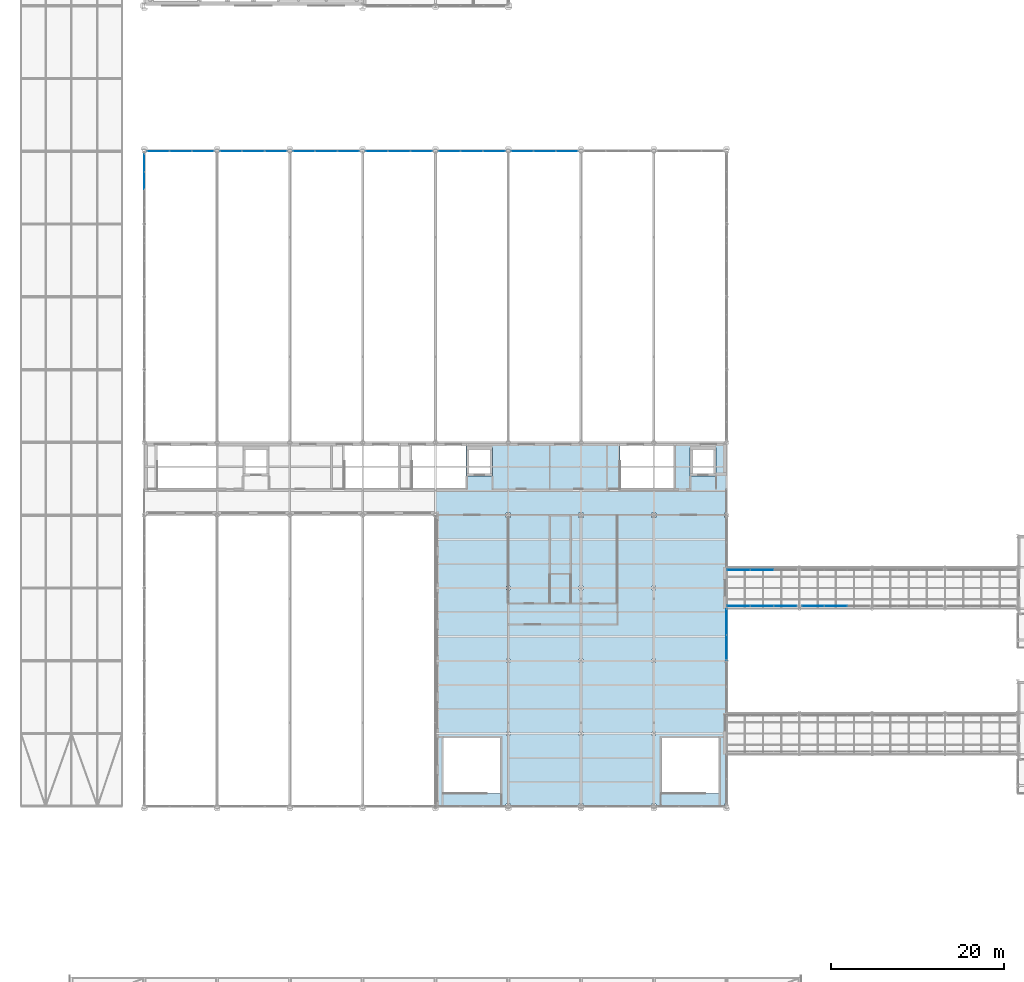
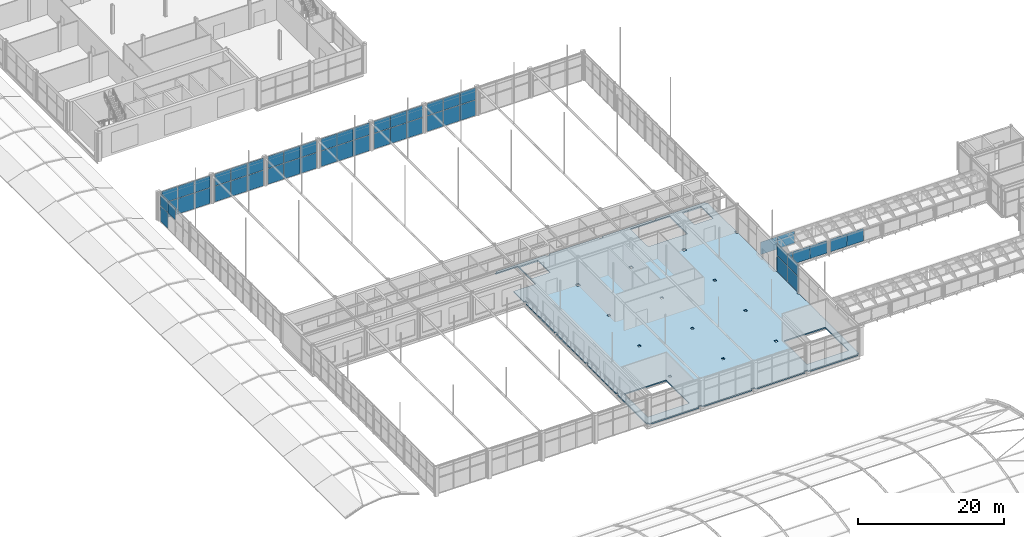
# One storey, part 145 of 167: 50 plates, 1 slab, 11 elements without a shape of their own.
"""IFC4 building model written with IfcOpenShell, lengths in metres."""

from ifc_helpers import new_model, si_unit, direction, frame, origin, origin_2d, place, context, subcontext, project, spatial, polyline, rectangle, outline, extrude, material, layer, layer_set, type_object, element, aggregate, save


model = new_model("IFC4")

# Units and contexts
model_context = context("Model", 3, precision=1e-05, world=origin(), true_north=direction((0.0, 1.0)))
body_context = subcontext(model_context, "Body", "Model", "MODEL_VIEW")
ifc_project = project(units=[si_unit("LENGTHUNIT", "METRE"), si_unit("AREAUNIT", "SQUARE_METRE"), si_unit("VOLUMEUNIT", "CUBIC_METRE"), si_unit("PLANEANGLEUNIT", "RADIAN"), si_unit("MASSUNIT", "GRAM", prefix="KILO")], contexts=[model_context])

# Site, building, storey
site_placement = place(None, origin())
site = spatial("IfcSite", under=ifc_project, at=site_placement, CompositionType="ELEMENT")
building_placement = place(site_placement, origin())
building = spatial("IfcBuilding", under=site, at=building_placement, Name="Catenary Quay Ferry Terminal", CompositionType="ELEMENT")
storey_placement = place(building_placement, frame((0.0, 0.0, 6.0)))
storey = spatial("IfcBuildingStorey", under=building, at=storey_placement, Name="L01", CompositionType="ELEMENT", Elevation=6.0)

# Slab
ifc_material_1 = material(Name="Concrete C35/45", Category="concrete")
ifc_layer_1 = layer(ifc_material_1, 0.199951171875)
ifc_layer_set_1 = layer_set([ifc_layer_1], Name="Composite floor slab 200")
slab_type = type_object("IfcSlabType", Name="Composite floor slab 200", PredefinedType="FLOOR", material=ifc_layer_set_1)
slab_placement = place(storey_placement, frame((0.0, 0.0, -0.199951171875)))
element("IfcSlab", 1, at=slab_placement, inside=storey, type_object=slab_type, Name="L01 mezzanine slab", PredefinedType="FLOOR", context=body_context, shape_type="SweptSolid", body=[
    extrude(outline(polyline([(92.39990234375, 67.464111328125), (92.135986328125, 67.464111328125), (92.135986328125, 67.199951171875), (84.263916015625, 67.199951171875), (84.263916015625, 67.464111328125), (83.736083984375, 67.464111328125), (83.736083984375, 67.199951171875), (75.864013671875, 67.199951171875), (75.864013671875, 67.464111328125), (75.3359375, 67.464111328125), (75.3359375, 67.199951171875), (67.464111328125, 67.199951171875), (67.464111328125, 67.464111328125), (66.93603515625, 67.464111328125), (66.93603515625, 67.199951171875), (59.06396484375, 67.199951171875), (59.06396484375, 67.464111328125), (58.800048828125, 67.464111328125), (58.800048828125, 75.389892578125), (59.010009765625, 75.389892578125), (59.010009765625, 75.81005859375), (58.800048828125, 75.81005859375), (58.800048828125, 83.7900390625), (59.010009765625, 83.7900390625), (59.010009765625, 84.2099609375), (58.800048828125, 84.2099609375), (58.800048828125, 92.18994140625), (59.010009765625, 92.18994140625), (59.010009765625, 92.610107421875), (58.800048828125, 92.610107421875), (58.800048828125, 100.535888671875), (59.06396484375, 100.535888671875), (59.06396484375, 101.06396484375), (58.800048828125, 101.06396484375), (58.800048828125, 103.89990234375), (62.300048828125, 103.89990234375), (62.300048828125, 108.800048828125), (58.800048828125, 108.800048828125), (58.800048828125, 108.93603515625), (59.06396484375, 108.93603515625), (59.06396484375, 109.199951171875), (66.93603515625, 109.199951171875), (66.93603515625, 108.93603515625), (67.464111328125, 108.93603515625), (67.464111328125, 109.199951171875), (75.3359375, 109.199951171875), (75.3359375, 108.93603515625), (75.864013671875, 108.93603515625), (75.864013671875, 109.199951171875), (83.736083984375, 109.199951171875), (83.736083984375, 108.93603515625), (84.263916015625, 108.93603515625), (84.263916015625, 109.199951171875), (92.135986328125, 109.199951171875), (92.135986328125, 108.93603515625), (92.39990234375, 108.93603515625), (92.39990234375, 101.06396484375), (92.135986328125, 101.06396484375), (92.135986328125, 100.535888671875), (92.39990234375, 100.535888671875), (92.39990234375, 94.866943359375), (92.3330078125, 94.866943359375), (92.3330078125, 94.73291015625), (92.39990234375, 94.73291015625), (92.39990234375, 90.06689453125), (92.3330078125, 90.06689453125), (92.3330078125, 89.93310546875), (92.39990234375, 89.93310546875), (92.39990234375, 84.187744140625), (92.212158203125, 84.187744140625), (92.212158203125, 83.812255859375), (92.39990234375, 83.812255859375), (92.39990234375, 78.06689453125), (92.3330078125, 78.06689453125), (92.3330078125, 77.93310546875), (92.39990234375, 77.93310546875), (92.39990234375, 73.26708984375), (92.3330078125, 73.26708984375), (92.3330078125, 73.133056640625), (92.39990234375, 73.133056640625), (92.39990234375, 67.464111328125)]), holes=[polyline([(66.300048828125, 68.699951171875), (66.300048828125, 75.10009765625), (59.699951171875, 75.10009765625), (59.699951171875, 68.699951171875), (66.300048828125, 68.699951171875)]), polyline([(62.39990234375, 105.300048828125), (65.39990234375, 105.300048828125), (65.39990234375, 108.60009765625), (62.39990234375, 108.60009765625), (62.39990234375, 105.300048828125)]), polyline([(66.989990234375, 75.389892578125), (67.409912109375, 75.389892578125), (67.409912109375, 75.81005859375), (66.989990234375, 75.81005859375), (66.989990234375, 75.389892578125)]), polyline([(75.81005859375, 75.389892578125), (75.81005859375, 75.81005859375), (75.389892578125, 75.81005859375), (75.389892578125, 75.389892578125), (75.81005859375, 75.389892578125)]), polyline([(66.989990234375, 83.7900390625), (67.409912109375, 83.7900390625), (67.409912109375, 84.2099609375), (66.989990234375, 84.2099609375), (66.989990234375, 83.7900390625)]), polyline([(75.389892578125, 83.7900390625), (75.81005859375, 83.7900390625), (75.81005859375, 84.2099609375), (75.389892578125, 84.2099609375), (75.389892578125, 83.7900390625)]), polyline([(67.409912109375, 92.18994140625), (67.409912109375, 92.610107421875), (66.989990234375, 92.610107421875), (66.989990234375, 92.18994140625), (67.409912109375, 92.18994140625)]), polyline([(75.389892578125, 92.18994140625), (75.81005859375, 92.18994140625), (75.81005859375, 92.610107421875), (75.389892578125, 92.610107421875), (75.389892578125, 92.18994140625)]), polyline([(66.93603515625, 100.535888671875), (67.464111328125, 100.535888671875), (67.464111328125, 101.06396484375), (66.93603515625, 101.06396484375), (66.93603515625, 100.535888671875)]), polyline([(75.864013671875, 100.535888671875), (75.864013671875, 101.06396484375), (75.3359375, 101.06396484375), (75.3359375, 100.535888671875), (75.864013671875, 100.535888671875)]), polyline([(83.736083984375, 100.535888671875), (84.263916015625, 100.535888671875), (84.263916015625, 101.06396484375), (83.736083984375, 101.06396484375), (83.736083984375, 100.535888671875)]), polyline([(80.10009765625, 103.89990234375), (86.300048828125, 103.89990234375), (86.300048828125, 108.800048828125), (80.10009765625, 108.800048828125), (80.10009765625, 103.89990234375)]), polyline([(84.89990234375, 68.699951171875), (91.5, 68.699951171875), (91.5, 75.10009765625), (84.89990234375, 75.10009765625), (84.89990234375, 68.699951171875)]), polyline([(83.7900390625, 75.389892578125), (84.2099609375, 75.389892578125), (84.2099609375, 75.81005859375), (83.7900390625, 75.81005859375), (83.7900390625, 75.389892578125)]), polyline([(84.2099609375, 83.7900390625), (84.2099609375, 84.2099609375), (83.7900390625, 84.2099609375), (83.7900390625, 83.7900390625), (84.2099609375, 83.7900390625)]), polyline([(83.7900390625, 92.18994140625), (84.2099609375, 92.18994140625), (84.2099609375, 92.610107421875), (83.7900390625, 92.610107421875), (83.7900390625, 92.18994140625)]), polyline([(88.199951171875, 105.300048828125), (91.199951171875, 105.300048828125), (91.199951171875, 108.60009765625), (88.199951171875, 108.60009765625), (88.199951171875, 105.300048828125)])]), origin(), (0.0, 0.0, 1.0), 0.199951171875),
])

# Curtain wall, plates
ifc_material_2 = material(Name="Aluminium and glass", Category="aluminium")
curtain_wall_type_1 = type_object("IfcCurtainWallType", Name="CWM", PredefinedType="NOTDEFINED", material=ifc_material_2)
curtain_wall_1_placement = place(storey_placement, origin())
curtain_wall_1 = element("IfcCurtainWall", 2, at=curtain_wall_1_placement, inside=storey, type_object=curtain_wall_type_1, Name="Gable arrivals hall curtain wall CW10", PredefinedType="NOTDEFINED")
ifc_material_3 = material(Name="Glass", Category="glass")
ifc_layer_2 = layer(ifc_material_3, 0.031982421875)
ifc_layer_set_2 = layer_set([ifc_layer_2], Name="PN1")
plate_type_1 = type_object("IfcPlateType", Name="PN1", PredefinedType="CURTAIN_PANEL", material=ifc_layer_set_2)
plate_1_placement = place(storey_placement, frame((92.39990234375, 85.5, 0.06005859375), z_axis=(0.0, 0.0, 1.0), x_axis=(0.0, 1.0, 0.0)))
plate_1 = element("IfcPlate", 3, at=plate_1_placement, type_object=plate_type_1, Name="CW10 panel 3.1", PredefinedType="CURTAIN_PANEL", context=body_context, shape_type="SweptSolid", body=[
    extrude(rectangle(XDim=2.929931640625, YDim=0.031982421875, at=origin_2d()), origin(), (0.0, 0.0, 1.0), 2.610107421875),
])
plate_2_placement = place(storey_placement, frame((92.39990234375, 85.5, 2.72998046875), z_axis=(0.0, 0.0, 1.0), x_axis=(0.0, 1.0, 0.0)))
plate_2 = element("IfcPlate", 4, at=plate_2_placement, type_object=plate_type_1, Name="CW10 panel 3.2", PredefinedType="CURTAIN_PANEL", context=body_context, shape_type="SweptSolid", body=[
    extrude(rectangle(XDim=2.929931640625, YDim=0.031982421875, at=origin_2d()), origin(), (0.0, 0.0, 1.0), 2.010009765625),
])
plate_3_placement = place(storey_placement, frame((92.39990234375, 88.482421875, 0.06005859375), z_axis=(0.0, 0.0, 1.0), x_axis=(0.0, 1.0, 0.0)))
plate_3 = element("IfcPlate", 5, at=plate_3_placement, type_object=plate_type_1, Name="CW10 panel 4.1", PredefinedType="CURTAIN_PANEL", context=body_context, shape_type="SweptSolid", body=[
    extrude(rectangle(XDim=2.89501953125, YDim=0.031982421875, at=origin_2d()), origin(), (0.0, 0.0, 1.0), 2.610107421875),
])
plate_4_placement = place(storey_placement, frame((92.39990234375, 88.482421875, 2.72998046875), z_axis=(0.0, 0.0, 1.0), x_axis=(0.0, 1.0, 0.0)))
plate_4 = element("IfcPlate", 6, at=plate_4_placement, type_object=plate_type_1, Name="CW10 panel 4.2", PredefinedType="CURTAIN_PANEL", context=body_context, shape_type="SweptSolid", body=[
    extrude(rectangle(XDim=2.89501953125, YDim=0.031982421875, at=origin_2d()), origin(), (0.0, 0.0, 1.0), 2.010009765625),
])
aggregate(curtain_wall_1, [plate_1, plate_2, plate_3, plate_4])

ifc_material_4 = material(Name="Aluminium and glass", Category="aluminium")
curtain_wall_type_2 = type_object("IfcCurtainWallType", Name="CWG", PredefinedType="NOTDEFINED", material=ifc_material_4)
curtain_wall_2_placement = place(storey_placement, origin())
curtain_wall_2 = element("IfcCurtainWall", 7, at=curtain_wall_2_placement, inside=storey, type_object=curtain_wall_type_2, Name="Gable departure hall curtain wall CW16", PredefinedType="NOTDEFINED")
plate_5_placement = place(storey_placement, frame((25.199951171875, 139.40625, 2.72998046875), z_axis=(0.0, 0.0, 1.0), x_axis=(0.0, 1.0, 0.0)))
plate_5 = element("IfcPlate", 8, at=plate_5_placement, type_object=plate_type_1, Name="CW16 panel 15.2", PredefinedType="CURTAIN_PANEL", context=body_context, shape_type="SweptSolid", body=[
    extrude(rectangle(XDim=2.00244140625, YDim=0.031982421875, at=origin_2d()), origin(), (0.0, 0.0, 1.0), 2.010009765625),
])
plate_6_placement = place(storey_placement, frame((25.199951171875, 141.453857421875, 0.06005859375), z_axis=(0.0, 0.0, 1.0), x_axis=(0.0, 1.0, 0.0)))
plate_6 = element("IfcPlate", 9, at=plate_6_placement, type_object=plate_type_1, Name="CW16 panel 16.1", PredefinedType="CURTAIN_PANEL", context=body_context, shape_type="SweptSolid", body=[
    extrude(rectangle(XDim=1.972412109375, YDim=0.031982421875, at=origin_2d()), origin(), (0.0, 0.0, 1.0), 2.610107421875),
])
plate_7_placement = place(storey_placement, frame((25.199951171875, 141.453857421875, 2.72998046875), z_axis=(0.0, 0.0, 1.0), x_axis=(0.0, 1.0, 0.0)))
plate_7 = element("IfcPlate", 10, at=plate_7_placement, type_object=plate_type_1, Name="CW16 panel 16.2", PredefinedType="CURTAIN_PANEL", context=body_context, shape_type="SweptSolid", body=[
    extrude(rectangle(XDim=1.972412109375, YDim=0.031982421875, at=origin_2d()), origin(), (0.0, 0.0, 1.0), 2.010009765625),
])
aggregate(curtain_wall_2, [plate_5, plate_6, plate_7])

ifc_material_5 = material(Name="Aluminium and glass", Category="aluminium")
curtain_wall_type_3 = type_object("IfcCurtainWallType", Name="CWH", PredefinedType="NOTDEFINED", material=ifc_material_5)
curtain_wall_3_placement = place(storey_placement, origin())
curtain_wall_3 = element("IfcCurtainWall", 11, at=curtain_wall_3_placement, inside=storey, type_object=curtain_wall_type_3, Name="Hall curtain wall CW48", PredefinedType="NOTDEFINED")
ifc_material_6 = material(Name="Glass", Category="glass")
ifc_layer_3 = layer(ifc_material_6, 0.0400390625)
ifc_layer_set_3 = layer_set([ifc_layer_3], Name="PN2")
plate_type_2 = type_object("IfcPlateType", Name="PN2", PredefinedType="CURTAIN_PANEL", material=ifc_layer_set_3)
plate_8_placement = place(storey_placement, frame((26.8173828125, 142.800048828125, 0.06005859375), z_axis=(0.0, 0.0, 1.0), x_axis=(1.0, 0.0, 0.0)))
plate_8 = element("IfcPlate", 12, at=plate_8_placement, type_object=plate_type_2, Name="CW48 panel 1.1", PredefinedType="CURTAIN_PANEL", context=body_context, shape_type="SweptSolid", body=[
    extrude(rectangle(XDim=2.4951171875, YDim=0.0400390625, at=origin_2d()), origin(), (0.0, 0.0, 1.0), 2.610107421875),
])
plate_9_placement = place(storey_placement, frame((26.8173828125, 142.800048828125, 2.72998046875), z_axis=(0.0, 0.0, 1.0), x_axis=(1.0, 0.0, 0.0)))
plate_9 = element("IfcPlate", 13, at=plate_9_placement, type_object=plate_type_2, Name="CW48 panel 1.2", PredefinedType="CURTAIN_PANEL", context=body_context, shape_type="SweptSolid", body=[
    extrude(rectangle(XDim=2.4951171875, YDim=0.0400390625, at=origin_2d()), origin(), (0.0, 0.0, 1.0), 2.010009765625),
])
plate_10_placement = place(storey_placement, frame((29.39990234375, 142.800048828125, 0.06005859375), z_axis=(0.0, 0.0, 1.0), x_axis=(1.0, 0.0, 0.0)))
plate_10 = element("IfcPlate", 14, at=plate_10_placement, type_object=plate_type_2, Name="CW48 panel 2.1", PredefinedType="CURTAIN_PANEL", context=body_context, shape_type="SweptSolid", body=[
    extrude(rectangle(XDim=2.530029296875, YDim=0.0400390625, at=origin_2d()), origin(), (0.0, 0.0, 1.0), 2.610107421875),
])
plate_11_placement = place(storey_placement, frame((29.39990234375, 142.800048828125, 2.72998046875), z_axis=(0.0, 0.0, 1.0), x_axis=(1.0, 0.0, 0.0)))
plate_11 = element("IfcPlate", 15, at=plate_11_placement, type_object=plate_type_2, Name="CW48 panel 2.2", PredefinedType="CURTAIN_PANEL", context=body_context, shape_type="SweptSolid", body=[
    extrude(rectangle(XDim=2.530029296875, YDim=0.0400390625, at=origin_2d()), origin(), (0.0, 0.0, 1.0), 2.010009765625),
])
plate_12_placement = place(storey_placement, frame((31.982421875, 142.800048828125, 0.06005859375), z_axis=(0.0, 0.0, 1.0), x_axis=(1.0, 0.0, 0.0)))
plate_12 = element("IfcPlate", 16, at=plate_12_placement, type_object=plate_type_2, Name="CW48 panel 3.1", PredefinedType="CURTAIN_PANEL", context=body_context, shape_type="SweptSolid", body=[
    extrude(rectangle(XDim=2.4951171875, YDim=0.0400390625, at=origin_2d()), origin(), (0.0, 0.0, 1.0), 2.610107421875),
])
plate_13_placement = place(storey_placement, frame((31.982421875, 142.800048828125, 2.72998046875), z_axis=(0.0, 0.0, 1.0), x_axis=(1.0, 0.0, 0.0)))
plate_13 = element("IfcPlate", 17, at=plate_13_placement, type_object=plate_type_2, Name="CW48 panel 3.2", PredefinedType="CURTAIN_PANEL", context=body_context, shape_type="SweptSolid", body=[
    extrude(rectangle(XDim=2.4951171875, YDim=0.0400390625, at=origin_2d()), origin(), (0.0, 0.0, 1.0), 2.010009765625),
])
aggregate(curtain_wall_3, [plate_8, plate_9, plate_10, plate_11, plate_12, plate_13])

curtain_wall_4_placement = place(storey_placement, origin())
curtain_wall_4 = element("IfcCurtainWall", 18, at=curtain_wall_4_placement, inside=storey, type_object=curtain_wall_type_3, Name="Hall curtain wall CW49", PredefinedType="NOTDEFINED")
plate_14_placement = place(storey_placement, frame((35.217529296875, 142.800048828125, 0.06005859375), z_axis=(0.0, 0.0, 1.0), x_axis=(1.0, 0.0, 0.0)))
plate_14 = element("IfcPlate", 19, at=plate_14_placement, type_object=plate_type_2, Name="CW49 panel 1.1", PredefinedType="CURTAIN_PANEL", context=body_context, shape_type="SweptSolid", body=[
    extrude(rectangle(XDim=2.4951171875, YDim=0.0400390625, at=origin_2d()), origin(), (0.0, 0.0, 1.0), 2.610107421875),
])
plate_15_placement = place(storey_placement, frame((35.217529296875, 142.800048828125, 2.72998046875), z_axis=(0.0, 0.0, 1.0), x_axis=(1.0, 0.0, 0.0)))
plate_15 = element("IfcPlate", 20, at=plate_15_placement, type_object=plate_type_2, Name="CW49 panel 1.2", PredefinedType="CURTAIN_PANEL", context=body_context, shape_type="SweptSolid", body=[
    extrude(rectangle(XDim=2.4951171875, YDim=0.0400390625, at=origin_2d()), origin(), (0.0, 0.0, 1.0), 2.010009765625),
])
plate_16_placement = place(storey_placement, frame((37.800048828125, 142.800048828125, 0.06005859375), z_axis=(0.0, 0.0, 1.0), x_axis=(1.0, 0.0, 0.0)))
plate_16 = element("IfcPlate", 21, at=plate_16_placement, type_object=plate_type_2, Name="CW49 panel 2.1", PredefinedType="CURTAIN_PANEL", context=body_context, shape_type="SweptSolid", body=[
    extrude(rectangle(XDim=2.530029296875, YDim=0.0400390625, at=origin_2d()), origin(), (0.0, 0.0, 1.0), 2.610107421875),
])
plate_17_placement = place(storey_placement, frame((37.800048828125, 142.800048828125, 2.72998046875), z_axis=(0.0, 0.0, 1.0), x_axis=(1.0, 0.0, 0.0)))
plate_17 = element("IfcPlate", 22, at=plate_17_placement, type_object=plate_type_2, Name="CW49 panel 2.2", PredefinedType="CURTAIN_PANEL", context=body_context, shape_type="SweptSolid", body=[
    extrude(rectangle(XDim=2.530029296875, YDim=0.0400390625, at=origin_2d()), origin(), (0.0, 0.0, 1.0), 2.010009765625),
])
plate_18_placement = place(storey_placement, frame((40.382568359375, 142.800048828125, 0.06005859375), z_axis=(0.0, 0.0, 1.0), x_axis=(1.0, 0.0, 0.0)))
plate_18 = element("IfcPlate", 23, at=plate_18_placement, type_object=plate_type_2, Name="CW49 panel 3.1", PredefinedType="CURTAIN_PANEL", context=body_context, shape_type="SweptSolid", body=[
    extrude(rectangle(XDim=2.4951171875, YDim=0.0400390625, at=origin_2d()), origin(), (0.0, 0.0, 1.0), 2.610107421875),
])
plate_19_placement = place(storey_placement, frame((40.382568359375, 142.800048828125, 2.72998046875), z_axis=(0.0, 0.0, 1.0), x_axis=(1.0, 0.0, 0.0)))
plate_19 = element("IfcPlate", 24, at=plate_19_placement, type_object=plate_type_2, Name="CW49 panel 3.2", PredefinedType="CURTAIN_PANEL", context=body_context, shape_type="SweptSolid", body=[
    extrude(rectangle(XDim=2.4951171875, YDim=0.0400390625, at=origin_2d()), origin(), (0.0, 0.0, 1.0), 2.010009765625),
])
aggregate(curtain_wall_4, [plate_14, plate_15, plate_16, plate_17, plate_18, plate_19])

curtain_wall_5_placement = place(storey_placement, origin())
curtain_wall_5 = element("IfcCurtainWall", 25, at=curtain_wall_5_placement, inside=storey, type_object=curtain_wall_type_3, Name="Hall curtain wall CW50", PredefinedType="NOTDEFINED")
plate_20_placement = place(storey_placement, frame((43.617431640625, 142.800048828125, 0.06005859375), z_axis=(0.0, 0.0, 1.0), x_axis=(1.0, 0.0, 0.0)))
plate_20 = element("IfcPlate", 26, at=plate_20_placement, type_object=plate_type_2, Name="CW50 panel 1.1", PredefinedType="CURTAIN_PANEL", context=body_context, shape_type="SweptSolid", body=[
    extrude(rectangle(XDim=2.4951171875, YDim=0.0400390625, at=origin_2d()), origin(), (0.0, 0.0, 1.0), 2.610107421875),
])
plate_21_placement = place(storey_placement, frame((43.617431640625, 142.800048828125, 2.72998046875), z_axis=(0.0, 0.0, 1.0), x_axis=(1.0, 0.0, 0.0)))
plate_21 = element("IfcPlate", 27, at=plate_21_placement, type_object=plate_type_2, Name="CW50 panel 1.2", PredefinedType="CURTAIN_PANEL", context=body_context, shape_type="SweptSolid", body=[
    extrude(rectangle(XDim=2.4951171875, YDim=0.0400390625, at=origin_2d()), origin(), (0.0, 0.0, 1.0), 2.010009765625),
])
plate_22_placement = place(storey_placement, frame((46.199951171875, 142.800048828125, 0.06005859375), z_axis=(0.0, 0.0, 1.0), x_axis=(1.0, 0.0, 0.0)))
plate_22 = element("IfcPlate", 28, at=plate_22_placement, type_object=plate_type_2, Name="CW50 panel 2.1", PredefinedType="CURTAIN_PANEL", context=body_context, shape_type="SweptSolid", body=[
    extrude(rectangle(XDim=2.530029296875, YDim=0.0400390625, at=origin_2d()), origin(), (0.0, 0.0, 1.0), 2.610107421875),
])
plate_23_placement = place(storey_placement, frame((46.199951171875, 142.800048828125, 2.72998046875), z_axis=(0.0, 0.0, 1.0), x_axis=(1.0, 0.0, 0.0)))
plate_23 = element("IfcPlate", 29, at=plate_23_placement, type_object=plate_type_2, Name="CW50 panel 2.2", PredefinedType="CURTAIN_PANEL", context=body_context, shape_type="SweptSolid", body=[
    extrude(rectangle(XDim=2.530029296875, YDim=0.0400390625, at=origin_2d()), origin(), (0.0, 0.0, 1.0), 2.010009765625),
])
plate_24_placement = place(storey_placement, frame((48.782470703125, 142.800048828125, 0.06005859375), z_axis=(0.0, 0.0, 1.0), x_axis=(1.0, 0.0, 0.0)))
plate_24 = element("IfcPlate", 30, at=plate_24_placement, type_object=plate_type_2, Name="CW50 panel 3.1", PredefinedType="CURTAIN_PANEL", context=body_context, shape_type="SweptSolid", body=[
    extrude(rectangle(XDim=2.4951171875, YDim=0.0400390625, at=origin_2d()), origin(), (0.0, 0.0, 1.0), 2.610107421875),
])
plate_25_placement = place(storey_placement, frame((48.782470703125, 142.800048828125, 2.72998046875), z_axis=(0.0, 0.0, 1.0), x_axis=(1.0, 0.0, 0.0)))
plate_25 = element("IfcPlate", 31, at=plate_25_placement, type_object=plate_type_2, Name="CW50 panel 3.2", PredefinedType="CURTAIN_PANEL", context=body_context, shape_type="SweptSolid", body=[
    extrude(rectangle(XDim=2.4951171875, YDim=0.0400390625, at=origin_2d()), origin(), (0.0, 0.0, 1.0), 2.010009765625),
])
aggregate(curtain_wall_5, [plate_20, plate_21, plate_22, plate_23, plate_24, plate_25])

curtain_wall_6_placement = place(storey_placement, origin())
curtain_wall_6 = element("IfcCurtainWall", 32, at=curtain_wall_6_placement, inside=storey, type_object=curtain_wall_type_3, Name="Hall curtain wall CW51", PredefinedType="NOTDEFINED")
plate_26_placement = place(storey_placement, frame((52.017578125, 142.800048828125, 0.06005859375), z_axis=(0.0, 0.0, 1.0), x_axis=(1.0, 0.0, 0.0)))
plate_26 = element("IfcPlate", 33, at=plate_26_placement, type_object=plate_type_2, Name="CW51 panel 1.1", PredefinedType="CURTAIN_PANEL", context=body_context, shape_type="SweptSolid", body=[
    extrude(rectangle(XDim=2.4951171875, YDim=0.0400390625, at=origin_2d()), origin(), (0.0, 0.0, 1.0), 2.610107421875),
])
plate_27_placement = place(storey_placement, frame((52.017578125, 142.800048828125, 2.72998046875), z_axis=(0.0, 0.0, 1.0), x_axis=(1.0, 0.0, 0.0)))
plate_27 = element("IfcPlate", 34, at=plate_27_placement, type_object=plate_type_2, Name="CW51 panel 1.2", PredefinedType="CURTAIN_PANEL", context=body_context, shape_type="SweptSolid", body=[
    extrude(rectangle(XDim=2.4951171875, YDim=0.0400390625, at=origin_2d()), origin(), (0.0, 0.0, 1.0), 2.010009765625),
])
plate_28_placement = place(storey_placement, frame((54.60009765625, 142.800048828125, 0.06005859375), z_axis=(0.0, 0.0, 1.0), x_axis=(1.0, 0.0, 0.0)))
plate_28 = element("IfcPlate", 35, at=plate_28_placement, type_object=plate_type_2, Name="CW51 panel 2.1", PredefinedType="CURTAIN_PANEL", context=body_context, shape_type="SweptSolid", body=[
    extrude(rectangle(XDim=2.530029296875, YDim=0.0400390625, at=origin_2d()), origin(), (0.0, 0.0, 1.0), 2.610107421875),
])
plate_29_placement = place(storey_placement, frame((54.60009765625, 142.800048828125, 2.72998046875), z_axis=(0.0, 0.0, 1.0), x_axis=(1.0, 0.0, 0.0)))
plate_29 = element("IfcPlate", 36, at=plate_29_placement, type_object=plate_type_2, Name="CW51 panel 2.2", PredefinedType="CURTAIN_PANEL", context=body_context, shape_type="SweptSolid", body=[
    extrude(rectangle(XDim=2.530029296875, YDim=0.0400390625, at=origin_2d()), origin(), (0.0, 0.0, 1.0), 2.010009765625),
])
plate_30_placement = place(storey_placement, frame((57.1826171875, 142.800048828125, 0.06005859375), z_axis=(0.0, 0.0, 1.0), x_axis=(1.0, 0.0, 0.0)))
plate_30 = element("IfcPlate", 37, at=plate_30_placement, type_object=plate_type_2, Name="CW51 panel 3.1", PredefinedType="CURTAIN_PANEL", context=body_context, shape_type="SweptSolid", body=[
    extrude(rectangle(XDim=2.4951171875, YDim=0.0400390625, at=origin_2d()), origin(), (0.0, 0.0, 1.0), 2.610107421875),
])
plate_31_placement = place(storey_placement, frame((57.1826171875, 142.800048828125, 2.72998046875), z_axis=(0.0, 0.0, 1.0), x_axis=(1.0, 0.0, 0.0)))
plate_31 = element("IfcPlate", 38, at=plate_31_placement, type_object=plate_type_2, Name="CW51 panel 3.2", PredefinedType="CURTAIN_PANEL", context=body_context, shape_type="SweptSolid", body=[
    extrude(rectangle(XDim=2.4951171875, YDim=0.0400390625, at=origin_2d()), origin(), (0.0, 0.0, 1.0), 2.010009765625),
])
aggregate(curtain_wall_6, [plate_26, plate_27, plate_28, plate_29, plate_30, plate_31])

curtain_wall_7_placement = place(storey_placement, origin())
curtain_wall_7 = element("IfcCurtainWall", 39, at=curtain_wall_7_placement, inside=storey, type_object=curtain_wall_type_3, Name="Hall curtain wall CW52", PredefinedType="NOTDEFINED")
plate_32_placement = place(storey_placement, frame((60.41748046875, 142.800048828125, 0.06005859375), z_axis=(0.0, 0.0, 1.0), x_axis=(1.0, 0.0, 0.0)))
plate_32 = element("IfcPlate", 40, at=plate_32_placement, type_object=plate_type_2, Name="CW52 panel 1.1", PredefinedType="CURTAIN_PANEL", context=body_context, shape_type="SweptSolid", body=[
    extrude(rectangle(XDim=2.4951171875, YDim=0.0400390625, at=origin_2d()), origin(), (0.0, 0.0, 1.0), 2.610107421875),
])
plate_33_placement = place(storey_placement, frame((60.41748046875, 142.800048828125, 2.72998046875), z_axis=(0.0, 0.0, 1.0), x_axis=(1.0, 0.0, 0.0)))
plate_33 = element("IfcPlate", 41, at=plate_33_placement, type_object=plate_type_2, Name="CW52 panel 1.2", PredefinedType="CURTAIN_PANEL", context=body_context, shape_type="SweptSolid", body=[
    extrude(rectangle(XDim=2.4951171875, YDim=0.0400390625, at=origin_2d()), origin(), (0.0, 0.0, 1.0), 2.010009765625),
])
plate_34_placement = place(storey_placement, frame((63.0, 142.800048828125, 0.06005859375), z_axis=(0.0, 0.0, 1.0), x_axis=(1.0, 0.0, 0.0)))
plate_34 = element("IfcPlate", 42, at=plate_34_placement, type_object=plate_type_2, Name="CW52 panel 2.1", PredefinedType="CURTAIN_PANEL", context=body_context, shape_type="SweptSolid", body=[
    extrude(rectangle(XDim=2.530029296875, YDim=0.0400390625, at=origin_2d()), origin(), (0.0, 0.0, 1.0), 2.610107421875),
])
plate_35_placement = place(storey_placement, frame((63.0, 142.800048828125, 2.72998046875), z_axis=(0.0, 0.0, 1.0), x_axis=(1.0, 0.0, 0.0)))
plate_35 = element("IfcPlate", 43, at=plate_35_placement, type_object=plate_type_2, Name="CW52 panel 2.2", PredefinedType="CURTAIN_PANEL", context=body_context, shape_type="SweptSolid", body=[
    extrude(rectangle(XDim=2.530029296875, YDim=0.0400390625, at=origin_2d()), origin(), (0.0, 0.0, 1.0), 2.010009765625),
])
plate_36_placement = place(storey_placement, frame((65.58251953125, 142.800048828125, 0.06005859375), z_axis=(0.0, 0.0, 1.0), x_axis=(1.0, 0.0, 0.0)))
plate_36 = element("IfcPlate", 44, at=plate_36_placement, type_object=plate_type_2, Name="CW52 panel 3.1", PredefinedType="CURTAIN_PANEL", context=body_context, shape_type="SweptSolid", body=[
    extrude(rectangle(XDim=2.4951171875, YDim=0.0400390625, at=origin_2d()), origin(), (0.0, 0.0, 1.0), 2.610107421875),
])
plate_37_placement = place(storey_placement, frame((65.58251953125, 142.800048828125, 2.72998046875), z_axis=(0.0, 0.0, 1.0), x_axis=(1.0, 0.0, 0.0)))
plate_37 = element("IfcPlate", 45, at=plate_37_placement, type_object=plate_type_2, Name="CW52 panel 3.2", PredefinedType="CURTAIN_PANEL", context=body_context, shape_type="SweptSolid", body=[
    extrude(rectangle(XDim=2.4951171875, YDim=0.0400390625, at=origin_2d()), origin(), (0.0, 0.0, 1.0), 2.010009765625),
])
aggregate(curtain_wall_7, [plate_32, plate_33, plate_34, plate_35, plate_36, plate_37])

curtain_wall_8_placement = place(storey_placement, origin())
curtain_wall_8 = element("IfcCurtainWall", 46, at=curtain_wall_8_placement, inside=storey, type_object=curtain_wall_type_3, Name="Hall curtain wall CW53", PredefinedType="NOTDEFINED")
plate_38_placement = place(storey_placement, frame((68.8173828125, 142.800048828125, 0.06005859375), z_axis=(0.0, 0.0, 1.0), x_axis=(1.0, 0.0, 0.0)))
plate_38 = element("IfcPlate", 47, at=plate_38_placement, type_object=plate_type_2, Name="CW53 panel 1.1", PredefinedType="CURTAIN_PANEL", context=body_context, shape_type="SweptSolid", body=[
    extrude(rectangle(XDim=2.4951171875, YDim=0.0400390625, at=origin_2d()), origin(), (0.0, 0.0, 1.0), 2.610107421875),
])
plate_39_placement = place(storey_placement, frame((68.8173828125, 142.800048828125, 2.72998046875), z_axis=(0.0, 0.0, 1.0), x_axis=(1.0, 0.0, 0.0)))
plate_39 = element("IfcPlate", 48, at=plate_39_placement, type_object=plate_type_2, Name="CW53 panel 1.2", PredefinedType="CURTAIN_PANEL", context=body_context, shape_type="SweptSolid", body=[
    extrude(rectangle(XDim=2.4951171875, YDim=0.0400390625, at=origin_2d()), origin(), (0.0, 0.0, 1.0), 2.010009765625),
])
plate_40_placement = place(storey_placement, frame((71.39990234375, 142.800048828125, 0.06005859375), z_axis=(0.0, 0.0, 1.0), x_axis=(1.0, 0.0, 0.0)))
plate_40 = element("IfcPlate", 49, at=plate_40_placement, type_object=plate_type_2, Name="CW53 panel 2.1", PredefinedType="CURTAIN_PANEL", context=body_context, shape_type="SweptSolid", body=[
    extrude(rectangle(XDim=2.530029296875, YDim=0.0400390625, at=origin_2d()), origin(), (0.0, 0.0, 1.0), 2.610107421875),
])
plate_41_placement = place(storey_placement, frame((71.39990234375, 142.800048828125, 2.72998046875), z_axis=(0.0, 0.0, 1.0), x_axis=(1.0, 0.0, 0.0)))
plate_41 = element("IfcPlate", 50, at=plate_41_placement, type_object=plate_type_2, Name="CW53 panel 2.2", PredefinedType="CURTAIN_PANEL", context=body_context, shape_type="SweptSolid", body=[
    extrude(rectangle(XDim=2.530029296875, YDim=0.0400390625, at=origin_2d()), origin(), (0.0, 0.0, 1.0), 2.010009765625),
])
plate_42_placement = place(storey_placement, frame((73.982421875, 142.800048828125, 0.06005859375), z_axis=(0.0, 0.0, 1.0), x_axis=(1.0, 0.0, 0.0)))
plate_42 = element("IfcPlate", 51, at=plate_42_placement, type_object=plate_type_2, Name="CW53 panel 3.1", PredefinedType="CURTAIN_PANEL", context=body_context, shape_type="SweptSolid", body=[
    extrude(rectangle(XDim=2.4951171875, YDim=0.0400390625, at=origin_2d()), origin(), (0.0, 0.0, 1.0), 2.610107421875),
])
plate_43_placement = place(storey_placement, frame((73.982421875, 142.800048828125, 2.72998046875), z_axis=(0.0, 0.0, 1.0), x_axis=(1.0, 0.0, 0.0)))
plate_43 = element("IfcPlate", 52, at=plate_43_placement, type_object=plate_type_2, Name="CW53 panel 3.2", PredefinedType="CURTAIN_PANEL", context=body_context, shape_type="SweptSolid", body=[
    extrude(rectangle(XDim=2.4951171875, YDim=0.0400390625, at=origin_2d()), origin(), (0.0, 0.0, 1.0), 2.010009765625),
])
aggregate(curtain_wall_8, [plate_38, plate_39, plate_40, plate_41, plate_42, plate_43])

ifc_material_7 = material(Name="Aluminium and glass", Category="aluminium")
curtain_wall_type_4 = type_object("IfcCurtainWallType", Name="CWB", PredefinedType="NOTDEFINED", material=ifc_material_7)
curtain_wall_9_placement = place(storey_placement, origin())
curtain_wall_9 = element("IfcCurtainWall", 53, at=curtain_wall_9_placement, inside=storey, type_object=curtain_wall_type_4, Name="BB2 curtain wall CW64", PredefinedType="NOTDEFINED")
ifc_material_8 = material(Name="Ceramic tile facing on insulated backing")
ifc_layer_4 = layer(ifc_material_8, 0.050048828125)
ifc_layer_set_4 = layer_set([ifc_layer_4], Name="PN8")
plate_type_3 = type_object("IfcPlateType", Name="PN8", PredefinedType="CURTAIN_PANEL", material=ifc_layer_set_4)
plate_44_placement = place(storey_placement, frame((93.770751953125, 90.300048828125, 0.0498046875), z_axis=(0.0, 0.0, 1.0), x_axis=(1.0, 0.0, 0.0)))
plate_44 = element("IfcPlate", 54, at=plate_44_placement, type_object=plate_type_3, Name="CW64 panel 1.1", PredefinedType="CURTAIN_PANEL", context=body_context, shape_type="SweptSolid", body=[
    extrude(rectangle(XDim=2.6416015625, YDim=0.050048828125, at=origin_2d()), origin(), (0.0, 0.0, 1.0), 2.094970703125),
])
plate_45_placement = place(storey_placement, frame((96.47509765625, 90.300048828125, 0.0498046875), z_axis=(0.0, 0.0, 1.0), x_axis=(1.0, 0.0, 0.0)))
plate_45 = element("IfcPlate", 55, at=plate_45_placement, type_object=plate_type_3, Name="CW64 panel 2.1", PredefinedType="CURTAIN_PANEL", context=body_context, shape_type="SweptSolid", body=[
    extrude(rectangle(XDim=2.666748046875, YDim=0.050048828125, at=origin_2d()), origin(), (0.0, 0.0, 1.0), 2.094970703125),
])
plate_46_placement = place(storey_placement, frame((99.17919921875, 90.300048828125, 0.0498046875), z_axis=(0.0, 0.0, 1.0), x_axis=(1.0, 0.0, 0.0)))
plate_46 = element("IfcPlate", 56, at=plate_46_placement, type_object=plate_type_3, Name="CW64 panel 3.1", PredefinedType="CURTAIN_PANEL", context=body_context, shape_type="SweptSolid", body=[
    extrude(rectangle(XDim=2.6416015625, YDim=0.050048828125, at=origin_2d()), origin(), (0.0, 0.0, 1.0), 2.094970703125),
])
aggregate(curtain_wall_9, [plate_44, plate_45, plate_46])

curtain_wall_10_placement = place(storey_placement, origin())
curtain_wall_10 = element("IfcCurtainWall", 57, at=curtain_wall_10_placement, inside=storey, type_object=curtain_wall_type_4, Name="BB2 curtain wall CW65", PredefinedType="NOTDEFINED")
plate_47_placement = place(storey_placement, frame((102.379150390625, 90.300048828125, 0.0498046875), z_axis=(0.0, 0.0, 1.0), x_axis=(1.0, 0.0, 0.0)))
plate_47 = element("IfcPlate", 58, at=plate_47_placement, type_object=plate_type_3, Name="CW65 panel 1.1", PredefinedType="CURTAIN_PANEL", context=body_context, shape_type="SweptSolid", body=[
    extrude(rectangle(XDim=2.558349609375, YDim=0.050048828125, at=origin_2d()), origin(), (0.0, 0.0, 1.0), 2.094970703125),
])
plate_48_placement = place(storey_placement, frame((105.0, 90.300048828125, 0.0498046875), z_axis=(0.0, 0.0, 1.0), x_axis=(1.0, 0.0, 0.0)))
plate_48 = element("IfcPlate", 59, at=plate_48_placement, type_object=plate_type_3, Name="CW65 panel 2.1", PredefinedType="CURTAIN_PANEL", context=body_context, shape_type="SweptSolid", body=[
    extrude(rectangle(XDim=2.583251953125, YDim=0.050048828125, at=origin_2d()), origin(), (0.0, 0.0, 1.0), 2.094970703125),
])
aggregate(curtain_wall_10, [plate_47, plate_48])

curtain_wall_11_placement = place(storey_placement, origin())
curtain_wall_11 = element("IfcCurtainWall", 60, at=curtain_wall_11_placement, inside=storey, type_object=curtain_wall_type_4, Name="BB2 curtain wall CW68", PredefinedType="NOTDEFINED")
plate_49_placement = place(storey_placement, frame((93.770751953125, 94.5, 0.0498046875), z_axis=(0.0, 0.0, 1.0), x_axis=(1.0, 0.0, 0.0)))
plate_49 = element("IfcPlate", 61, at=plate_49_placement, type_object=plate_type_3, Name="CW68 panel 1.1", PredefinedType="CURTAIN_PANEL", context=body_context, shape_type="SweptSolid", body=[
    extrude(rectangle(XDim=2.6416015625, YDim=0.050048828125, at=origin_2d()), origin(), (0.0, 0.0, 1.0), 2.094970703125),
])
plate_50_placement = place(storey_placement, frame((96.47509765625, 94.5, 0.0498046875), z_axis=(0.0, 0.0, 1.0), x_axis=(1.0, 0.0, 0.0)))
plate_50 = element("IfcPlate", 62, at=plate_50_placement, type_object=plate_type_3, Name="CW68 panel 2.1", PredefinedType="CURTAIN_PANEL", context=body_context, shape_type="SweptSolid", body=[
    extrude(rectangle(XDim=2.666748046875, YDim=0.050048828125, at=origin_2d()), origin(), (0.0, 0.0, 1.0), 2.094970703125),
])
aggregate(curtain_wall_11, [plate_49, plate_50])

save(model, "model.ifc")
